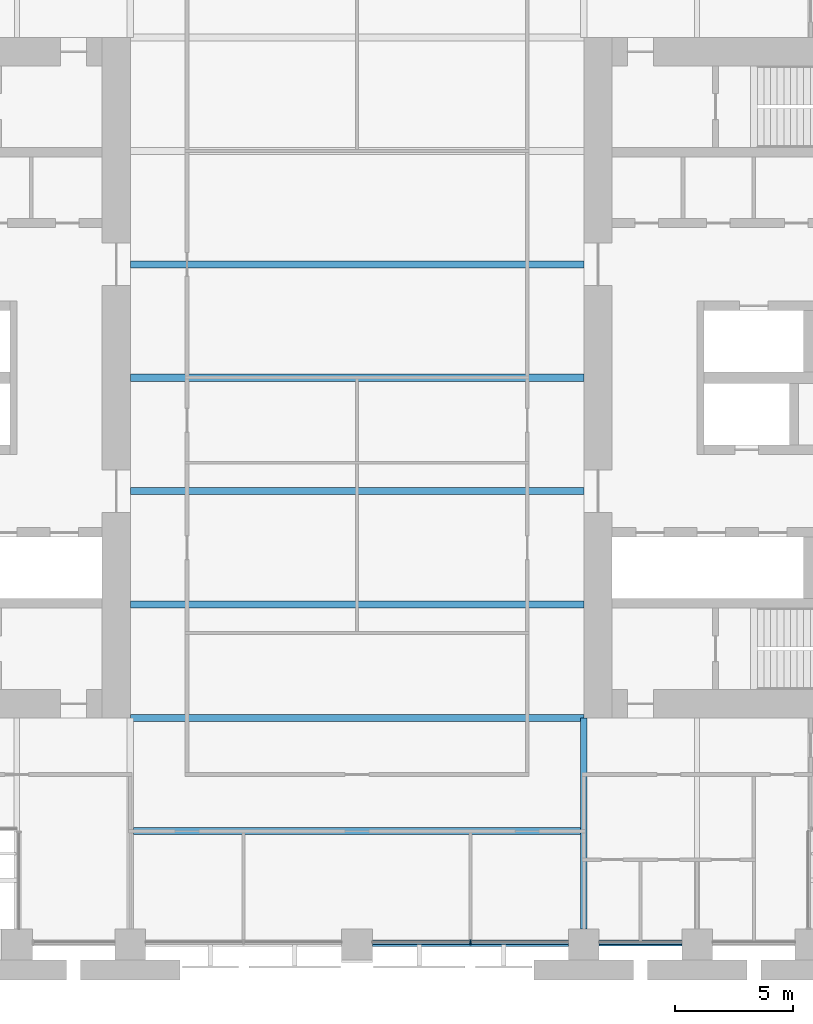
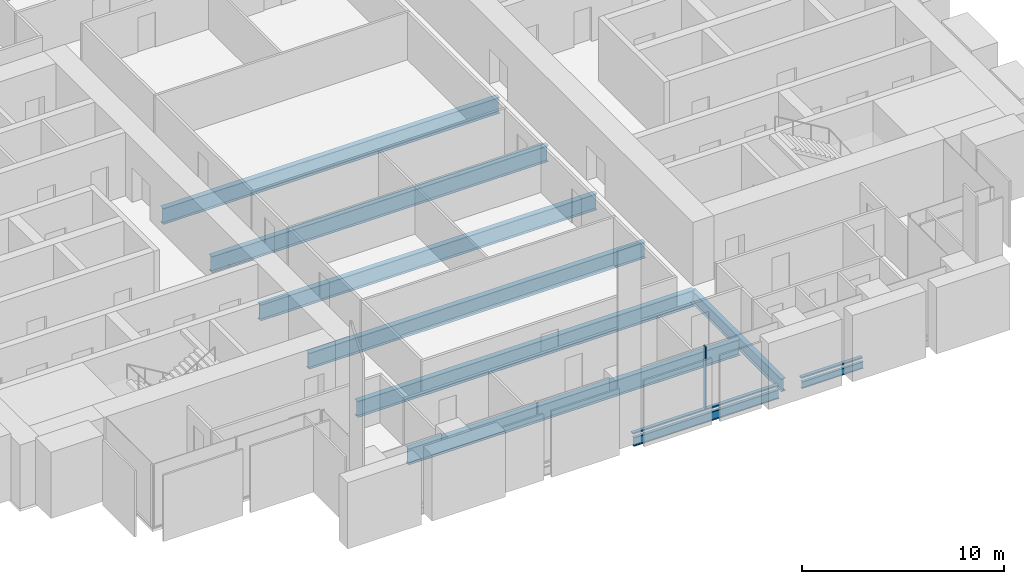
# One storey, part 3 of 14: 9 beams, 3 members, 1 element without a shape of its own.
"""IFC4 building model written with IfcOpenShell, lengths in metres."""

from ifc_helpers import new_model, si_unit, direction, frame, origin, origin_2d, place, context, subcontext, project, spatial, rectangle, i_section, extrude, material, material_profile, profile_set, type_object, element, aggregate, save


model = new_model("IFC4")

# Units and contexts
model_context = context("Model", 3, precision=1e-05, world=origin(), true_north=direction((0.0, 1.0)))
body_context = subcontext(model_context, "Body", "Model", "MODEL_VIEW")
ifc_project = project(units=[si_unit("LENGTHUNIT", "METRE"), si_unit("AREAUNIT", "SQUARE_METRE"), si_unit("VOLUMEUNIT", "CUBIC_METRE"), si_unit("PLANEANGLEUNIT", "RADIAN"), si_unit("MASSUNIT", "GRAM", prefix="KILO")], contexts=[model_context])

# Site, building, storey
site_placement = place(None, origin())
site = spatial("IfcSite", under=ifc_project, at=site_placement, CompositionType="ELEMENT")
building_placement = place(site_placement, origin())
building = spatial("IfcBuilding", under=site, at=building_placement, Name="Baori Bourse Tower", CompositionType="ELEMENT")
storey_placement = place(building_placement, frame((0.0, 0.0, 51.0)))
storey = spatial("IfcBuildingStorey", under=building, at=storey_placement, Name="L10", CompositionType="ELEMENT", Elevation=51.0)

# Curtain wall, members
ifc_material_1 = material(Name="Pale anodised aluminium", Category="aluminium")
curtain_wall_type = type_object("IfcCurtainWallType", Name="CW1 Curtain wall", PredefinedType="NOTDEFINED", material=ifc_material_1)
curtain_wall_placement = place(storey_placement, origin())
curtain_wall = element("IfcCurtainWall", 1, at=curtain_wall_placement, inside=storey, type_object=curtain_wall_type, Name="Curtain wall CW1 L10 11", PredefinedType="NOTDEFINED")
ifc_material_2 = material(Name="Pale anodised aluminium", Category="aluminium")
ifc_material_profile_1 = material_profile(ifc_material_2, rectangle(XDim=0.199951171875, YDim=0.06005859375, at=origin_2d()), Name="Mullion 60x200")
ifc_profile_set_1 = profile_set([ifc_material_profile_1], Name="Pale anodised aluminium")
member_type_1 = type_object("IfcMemberType", Name="CW1 Curtain wall mullion", PredefinedType="MULLION", material=ifc_profile_set_1)
member_1_placement = place(storey_placement, frame((33.60009765625, 0.10009765625, 0.080078125), z_axis=(0.0, 0.0, 1.0), x_axis=(0.0, 1.0, 0.0)))
member_1 = element("IfcMember", 2, at=member_1_placement, type_object=member_type_1, Name="Curtain wall CW1 mullion", PredefinedType="MULLION", context=body_context, shape_type="SweptSolid", body=[
    extrude(rectangle(XDim=0.199951171875, YDim=0.06005859375, at=origin_2d()), origin(), (0.0, 0.0, 1.0), 3.760009765625),
])
ifc_material_3 = material(Name="Pale anodised aluminium", Category="aluminium")
ifc_material_profile_2 = material_profile(ifc_material_3, rectangle(XDim=0.199951171875, YDim=0.080078125, at=origin_2d()), Name="Transom 80x200")
ifc_profile_set_2 = profile_set([ifc_material_profile_2], Name="Pale anodised aluminium")
member_type_2 = type_object("IfcMemberType", Name="CW1 Curtain wall transom", PredefinedType="USERDEFINED", material=ifc_profile_set_2)
member_2_placement = place(storey_placement, frame((29.449951171875, 0.10009765625, 0.0400390625), z_axis=(1.0, 0.0, 0.0), x_axis=(0.0, 1.0, 0.0)))
member_2 = element("IfcMember", 3, at=member_2_placement, type_object=member_type_2, Name="Curtain wall CW1 sill rail", ObjectType="TRANSOM", PredefinedType="USERDEFINED", context=body_context, shape_type="SweptSolid", body=[
    extrude(rectangle(XDim=0.199951171875, YDim=0.080078125, at=origin_2d()), origin(), (0.0, 0.0, 1.0), 8.300048828125),
])
member_3_placement = place(storey_placement, frame((39.050048828125, 0.10009765625, 0.0400390625), z_axis=(1.0, 0.0, 0.0), x_axis=(0.0, 1.0, 0.0)))
member_3 = element("IfcMember", 4, at=member_3_placement, type_object=member_type_2, Name="Curtain wall CW1 sill rail", ObjectType="TRANSOM", PredefinedType="USERDEFINED", context=body_context, shape_type="SweptSolid", body=[
    extrude(rectangle(XDim=0.199951171875, YDim=0.080078125, at=origin_2d()), origin(), (0.0, 0.0, 1.0), 3.5),
])
aggregate(curtain_wall, [member_2, member_1, member_3])

# Beams
ifc_material_4 = material(Name="Steel A992 Gr 50", Category="steel")
ifc_material_profile_3 = material_profile(ifc_material_4, i_section(OverallWidth=0.140380859375, OverallDepth=0.40380859375, WebThickness=0.007080078125, FlangeThickness=0.01123046875, at=origin_2d()), Name="W16x31")
ifc_profile_set_3 = profile_set([ifc_material_profile_3], Name="Steel A992 Gr 50")
beam_type_1 = type_object("IfcBeamType", Name="Edge beam W16x31", PredefinedType="BEAM", material=ifc_profile_set_3)
beam_1_placement = place(storey_placement, frame((39.050048828125, 0.0, -0.36181640625), z_axis=(1.0, 0.0, 0.0), x_axis=(0.0, 1.0, 0.0)))
element("IfcBeam", 5, at=beam_1_placement, inside=storey, type_object=beam_type_1, Name="Edge beam L10", PredefinedType="BEAM", context=body_context, shape_type="SweptSolid", body=[
    extrude(i_section(OverallWidth=0.140380859375, OverallDepth=0.40380859375, WebThickness=0.007080078125, FlangeThickness=0.01123046875, at=origin_2d()), origin(), (0.0, 0.0, 1.0), 3.5),
])
ifc_material_5 = material(Name="Steel A992 Gr 50", Category="steel")
ifc_material_profile_4 = material_profile(ifc_material_5, i_section(OverallWidth=0.1650390625, OverallDepth=0.52587890625, WebThickness=0.0087890625, FlangeThickness=0.011474609375, at=origin_2d()), Name="W21x44")
ifc_profile_set_4 = profile_set([ifc_material_profile_4], Name="Steel A992 Gr 50")
beam_type_2 = type_object("IfcBeamType", Name="Edge beam W21x44", PredefinedType="BEAM", material=ifc_profile_set_4)
beam_2_placement = place(storey_placement, frame((29.449951171875, 0.0, -0.4228515625), z_axis=(1.0, 0.0, 0.0), x_axis=(0.0, 1.0, 0.0)))
element("IfcBeam", 6, at=beam_2_placement, inside=storey, type_object=beam_type_2, Name="Edge beam L10", PredefinedType="BEAM", context=body_context, shape_type="SweptSolid", body=[
    extrude(i_section(OverallWidth=0.1650390625, OverallDepth=0.52587890625, WebThickness=0.0087890625, FlangeThickness=0.011474609375, at=origin_2d()), origin(), (0.0, 0.0, 1.0), 8.300048828125),
])
ifc_material_6 = material(Name="Steel A992 Gr 50", Category="steel")
ifc_material_profile_5 = material_profile(ifc_material_6, i_section(OverallWidth=0.2998046875, OverallDepth=0.97021484375, WebThickness=0.01611328125, FlangeThickness=0.02099609375, at=origin_2d()), Name="W40x149")
ifc_profile_set_5 = profile_set([ifc_material_profile_5], Name="Steel A992 Gr 50")
beam_type_3 = type_object("IfcBeamType", Name="Floor beam W40x149", PredefinedType="BEAM", material=ifc_profile_set_5)
beam_3_placement = place(storey_placement, frame((19.333251953125, 4.800048828125, -0.64501953125), z_axis=(1.0, 0.0, 0.0), x_axis=(0.0, 1.0, 0.0)))
element("IfcBeam", 7, at=beam_3_placement, inside=storey, type_object=beam_type_3, Name="Floor beam L10", PredefinedType="BEAM", context=body_context, shape_type="SweptSolid", body=[
    extrude(i_section(OverallWidth=0.2998046875, OverallDepth=0.97021484375, WebThickness=0.01611328125, FlangeThickness=0.02099609375, at=origin_2d()), origin(), (0.0, 0.0, 1.0), 18.933349609375),
])
for number, where, z_axis, x_axis, name in (
    (8, (19.199951171875, 9.60009765625, -0.64501953125), (1.0, 0.0, 0.0), (0.0, 1.0, 0.0), "Floor beam L10"),
    (9, (19.199951171875, 14.39990234375, -0.64501953125), (1.0, 0.0, 0.0), (0.0, 1.0, 0.0), "Floor beam L10"),
    (10, (19.199951171875, 19.199951171875, -0.64501953125), (1.0, 0.0, 0.0), (0.0, 1.0, 0.0), "Floor beam L10"),
    (11, (19.199951171875, 24.0, -0.64501953125), (1.0, 0.0, 0.0), (0.0, 1.0, 0.0), "Floor beam L10"),
    (12, (19.199951171875, 28.800048828125, -0.64501953125), (1.0, 0.0, 0.0), (0.0, 1.0, 0.0), "Floor beam L10"),
):
    element("IfcBeam", number, at=place(storey_placement, frame(where, z_axis=z_axis, x_axis=x_axis)), inside=storey, type_object=beam_type_3, Name=name, PredefinedType="BEAM", context=body_context, shape_type="SweptSolid", body=[
        extrude(i_section(OverallWidth=0.2998046875, OverallDepth=0.97021484375, WebThickness=0.01611328125, FlangeThickness=0.02099609375, at=origin_2d()), origin(), (0.0, 0.0, 1.0), 19.199951171875),
    ])
ifc_material_7 = material(Name="Steel A992 Gr 50", Category="steel")
ifc_material_profile_6 = material_profile(ifc_material_7, i_section(OverallWidth=0.2666015625, OverallDepth=0.7568359375, WebThickness=0.013916015625, FlangeThickness=0.019287109375, at=origin_2d()), Name="W30x108")
ifc_profile_set_6 = profile_set([ifc_material_profile_6], Name="Steel A992 Gr 50")
beam_type_4 = type_object("IfcBeamType", Name="Girder W30x108", PredefinedType="BEAM", material=ifc_profile_set_6)
beam_4_placement = place(storey_placement, frame((38.39990234375, 0.64990234375, -0.53857421875), z_axis=(0.0, 1.0, 0.0), x_axis=(-1.0, 0.0, 0.0)))
element("IfcBeam", 13, at=beam_4_placement, inside=storey, type_object=beam_type_4, Name="Girder L10", PredefinedType="BEAM", context=body_context, shape_type="SweptSolid", body=[
    extrude(i_section(OverallWidth=0.2666015625, OverallDepth=0.7568359375, WebThickness=0.013916015625, FlangeThickness=0.019287109375, at=origin_2d()), origin(), (0.0, 0.0, 1.0), 8.9501953125),
])

save(model, "model.ifc")
